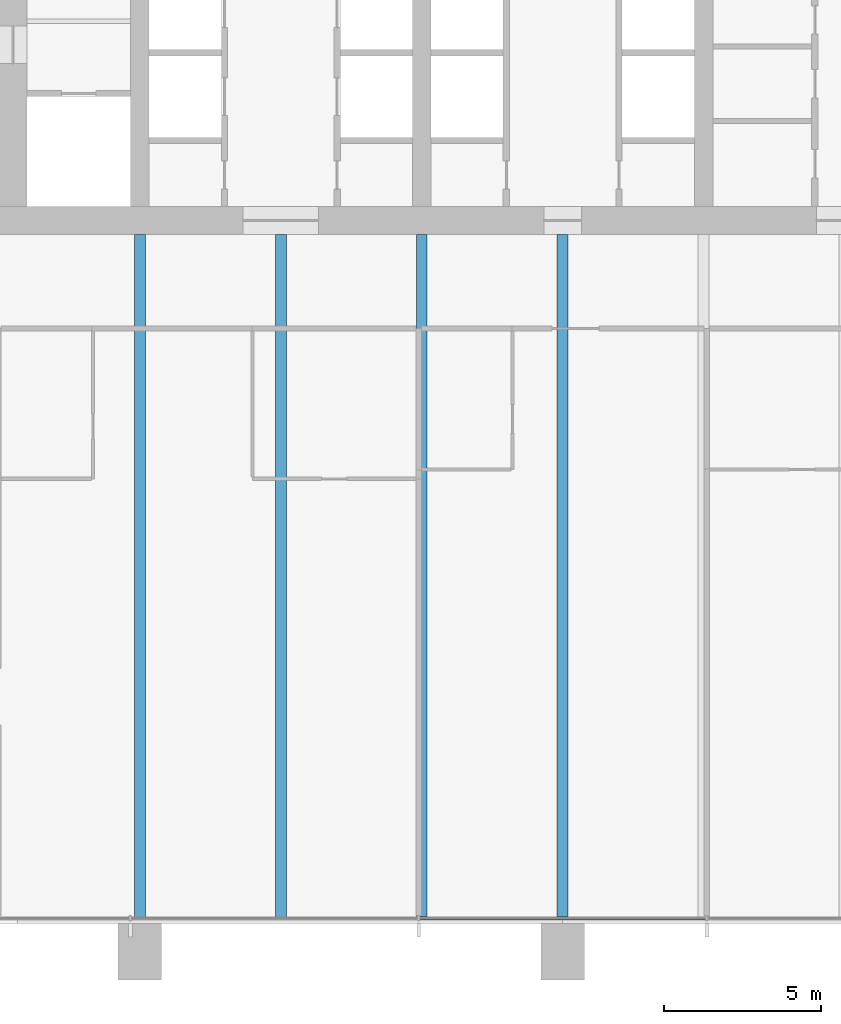
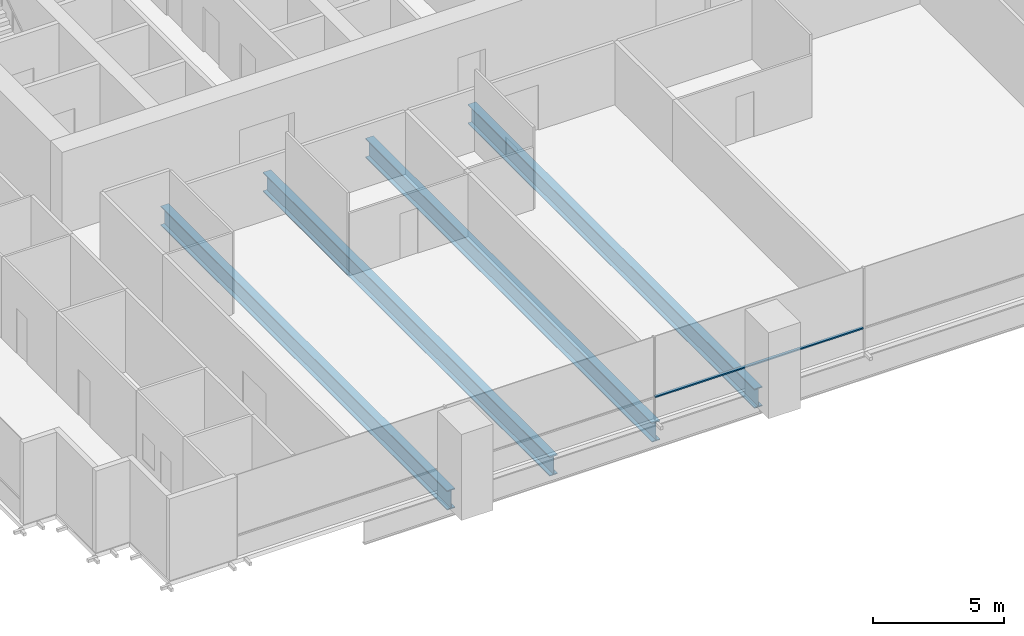
# One storey, part 3 of 15: 4 beams, 1 member, 1 element without a shape of its own.
"""IFC4 building model written with IfcOpenShell, lengths in metres."""

from ifc_helpers import new_model, si_unit, direction, frame, origin, origin_2d, place, context, subcontext, project, spatial, rectangle, i_section, extrude, material, material_profile, profile_set, type_object, element, aggregate, save


model = new_model("IFC4")

# Units and contexts
model_context = context("Model", 3, precision=1e-05, world=origin(), true_north=direction((0.0, 1.0)))
body_context = subcontext(model_context, "Body", "Model", "MODEL_VIEW")
ifc_project = project(units=[si_unit("LENGTHUNIT", "METRE"), si_unit("AREAUNIT", "SQUARE_METRE"), si_unit("VOLUMEUNIT", "CUBIC_METRE"), si_unit("PLANEANGLEUNIT", "RADIAN"), si_unit("MASSUNIT", "GRAM", prefix="KILO")], contexts=[model_context])

# Site, building, storey
site_placement = place(None, origin())
site = spatial("IfcSite", under=ifc_project, at=site_placement, CompositionType="ELEMENT")
building_placement = place(site_placement, origin())
building = spatial("IfcBuilding", under=site, at=building_placement, Name="Rattan Terrace Tower", CompositionType="ELEMENT")
storey_placement = place(building_placement, frame((0.0, 0.0, 142.10009765625)))
storey = spatial("IfcBuildingStorey", under=building, at=storey_placement, Name="L32", CompositionType="ELEMENT", Elevation=142.10009765625)

# Curtain wall, member
ifc_material_1 = material(Name="Aluminium and glass", Category="aluminium")
curtain_wall_type = type_object("IfcCurtainWallType", Name="Facade Unitised Curtain Wall", PredefinedType="NOTDEFINED", material=ifc_material_1)
curtain_wall_placement = place(storey_placement, origin())
curtain_wall = element("IfcCurtainWall", 1, at=curtain_wall_placement, inside=storey, type_object=curtain_wall_type, Name="Curtain wall L32-4", PredefinedType="NOTDEFINED")
ifc_material_2 = material(Name="Aluminium", Category="aluminium")
ifc_material_profile_1 = material_profile(ifc_material_2, rectangle(XDim=0.1201171875, YDim=0.06005859375, at=origin_2d()), Name="Aluminium 120x60")
ifc_profile_set_1 = profile_set([ifc_material_profile_1], Name="Aluminium")
member_type = type_object("IfcMemberType", Name="Facade CW Transom 120x60", PredefinedType="USERDEFINED", material=ifc_profile_set_1)
member_placement = place(storey_placement, frame((-4.568115234375, -29.330078125, 1.0), z_axis=(1.0, 0.0, 0.0), x_axis=(0.0, 1.0, 0.0)))
member = element("IfcMember", 2, at=member_placement, type_object=member_type, Name="Transom cwl-L32-004.3", ObjectType="TRANSOM", PredefinedType="USERDEFINED", context=body_context, shape_type="SweptSolid", body=[
    extrude(rectangle(XDim=0.1201171875, YDim=0.06005859375, at=origin_2d()), origin(), (0.0, 0.0, 1.0), 9.14111328125),
])
aggregate(curtain_wall, [member])

# Beams
ifc_material_3 = material(Name="Steel S460", Category="steel")
ifc_material_profile_2 = material_profile(ifc_material_3, i_section(OverallWidth=0.35009765625, OverallDepth=0.89990234375, WebThickness=0.013916015625, FlangeThickness=0.0400390625, at=origin_2d()), Name="PG 900x350-14-40")
ifc_profile_set_2 = profile_set([ifc_material_profile_2], Name="Steel S460")
beam_type = type_object("IfcBeamType", Name="Frame floor beam PG 900x350-14-40", PredefinedType="JOIST", material=ifc_profile_set_2)
for number, where, z_axis, x_axis, name in (
    (3, (-13.5, -29.320068359375, -0.650146484375), (0.0, 1.0, 0.0), (-1.0, 0.0, 0.0), "bm-L32-003"),
    (4, (-9.0, -29.320068359375, -0.650146484375), (0.0, 1.0, 0.0), (-1.0, 0.0, 0.0), "bm-L32-004"),
    (5, (-4.5, -29.320068359375, -0.650146484375), (0.0, 1.0, 0.0), (-1.0, 0.0, 0.0), "bm-L32-005"),
    (6, (0.0, -29.320068359375, -0.650146484375), (0.0, 1.0, 0.0), (-1.0, 0.0, 0.0), "bm-L32-006"),
):
    element("IfcBeam", number, at=place(storey_placement, frame(where, z_axis=z_axis, x_axis=x_axis)), inside=storey, type_object=beam_type, Name=name, PredefinedType="JOIST", context=body_context, shape_type="SweptSolid", body=[
        extrude(i_section(OverallWidth=0.35009765625, OverallDepth=0.89990234375, WebThickness=0.013916015625, FlangeThickness=0.0400390625, at=origin_2d()), origin(), (0.0, 0.0, 1.0), 21.820068359375),
    ])

save(model, "model.ifc")
